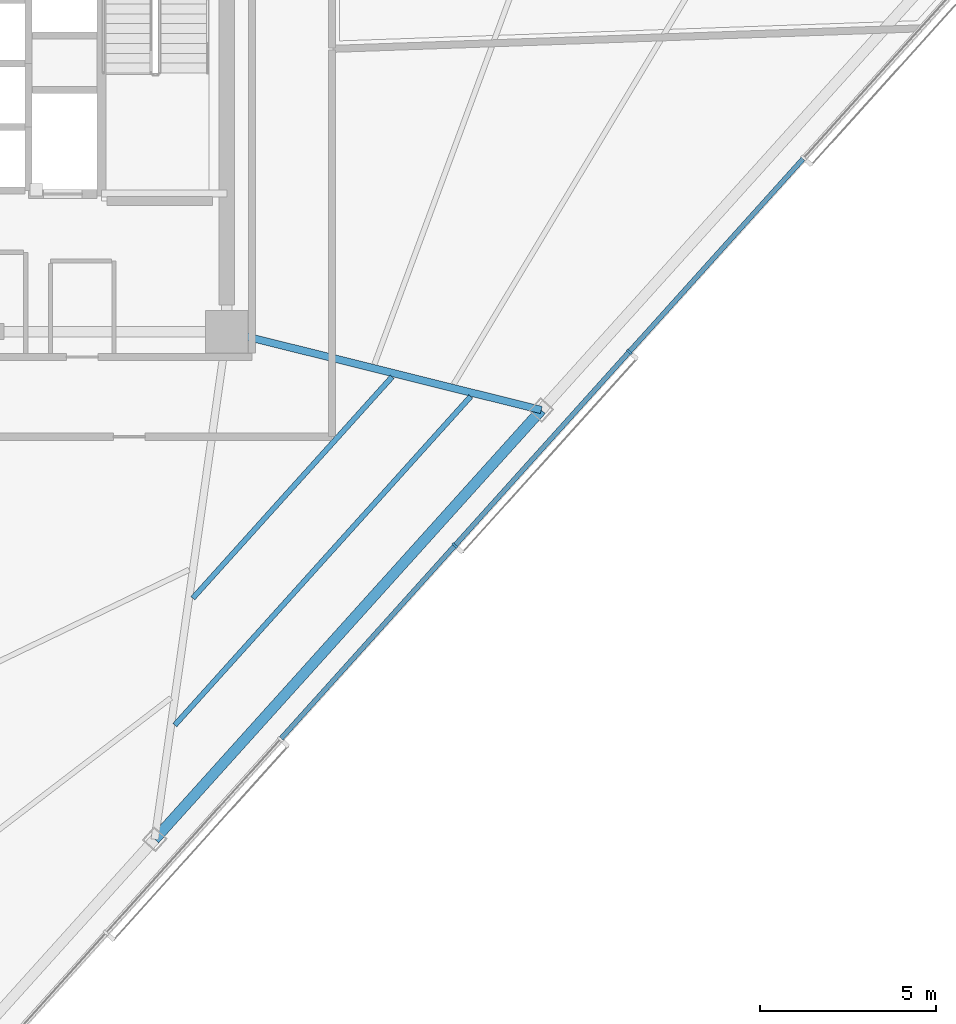
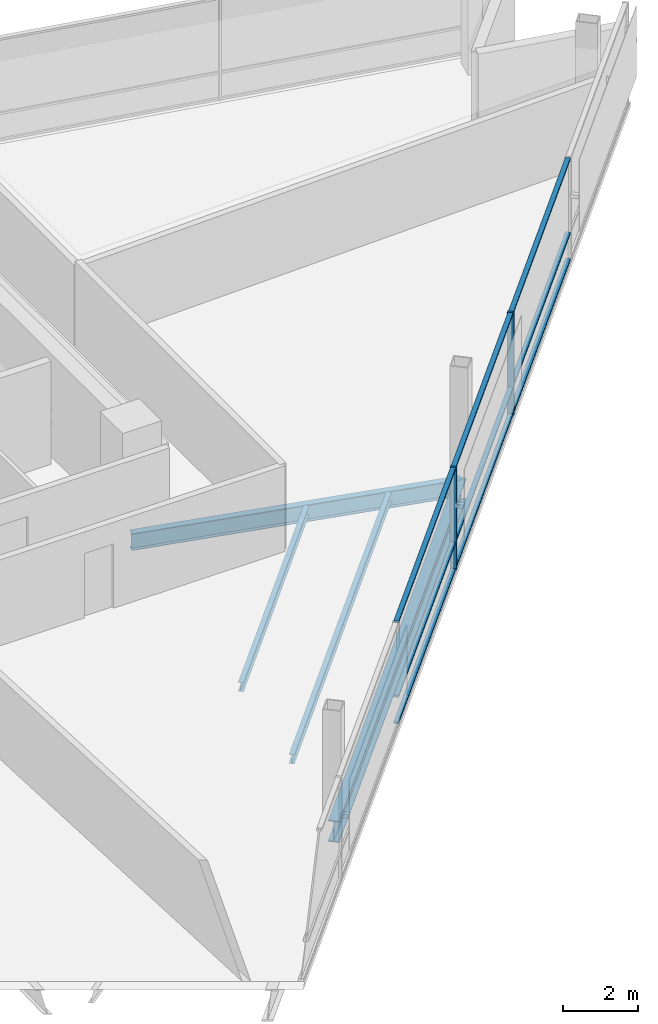
# One storey, part 4 of 17: 11 members, 4 beams, 1 element without a shape of its own.
"""IFC4 building model written with IfcOpenShell, lengths in metres."""

from ifc_helpers import new_model, si_unit, direction, frame, origin, origin_2d, place, context, subcontext, project, spatial, rectangle, i_section, extrude, material, layer, layer_set, material_profile, profile_set, type_object, element, aggregate, save


model = new_model("IFC4")

# Units and contexts
model_context = context("Model", 3, precision=1e-05, world=origin(), true_north=direction((0.0, 1.0)))
body_context = subcontext(model_context, "Body", "Model", "MODEL_VIEW")
ifc_project = project(units=[si_unit("LENGTHUNIT", "METRE"), si_unit("AREAUNIT", "SQUARE_METRE"), si_unit("VOLUMEUNIT", "CUBIC_METRE"), si_unit("PLANEANGLEUNIT", "RADIAN"), si_unit("MASSUNIT", "GRAM", prefix="KILO")], contexts=[model_context])

# Site, building, storey
site_placement = place(None, origin())
site = spatial("IfcSite", under=ifc_project, at=site_placement, CompositionType="ELEMENT")
building_placement = place(site_placement, origin())
building = spatial("IfcBuilding", under=site, at=building_placement, Name="Tharavind Bronze Gate", CompositionType="ELEMENT")
storey_placement = place(building_placement, frame((0.0, 0.0, 218.449951171875)))
storey = spatial("IfcBuildingStorey", under=building, at=storey_placement, Name="L56", CompositionType="ELEMENT", Elevation=218.449951171875)

# Curtain wall, members
ifc_material_1 = material(Name="Anodised Bronze Aluminium", Category="aluminium")
ifc_layer = layer(ifc_material_1, 0.219970703125)
ifc_layer_set = layer_set([ifc_layer], Name="Anodised Bronze Aluminium")
curtain_wall_type = type_object("IfcCurtainWallType", Name="UNITISED CURTAIN WALL MID OFFICE", PredefinedType="USERDEFINED", material=ifc_layer_set)
curtain_wall_placement = place(storey_placement, origin())
curtain_wall = element("IfcCurtainWall", 1, at=curtain_wall_placement, inside=storey, type_object=curtain_wall_type, Name="L56 unitised curtain wall mid office CW-L56-S2", ObjectType="UNITISED CURTAIN WALL", PredefinedType="USERDEFINED")
member_type_1 = type_object("IfcMemberType", Name="CURTAIN WALL BRONZE MULLION 65X180", PredefinedType="MULLION", material=ifc_material_1)
member_1_placement = place(storey_placement, frame((15.365966796875, -13.663818359375, 0.0), z_axis=(0.0, 0.0, 1.0), x_axis=(0.669130606359, 0.743144825477, 0.0)))
member_1 = element("IfcMember", 2, at=member_1_placement, type_object=member_type_1, Name="CW-L56-S2 mullion 5", PredefinedType="MULLION", context=body_context, shape_type="SweptSolid", body=[
    extrude(rectangle(XDim=0.06494140625, YDim=0.179931640625, at=origin_2d()), origin(), (0.0, 0.0, 1.0), 3.360107421875),
])
member_2_placement = place(storey_placement, frame((20.310302734375, -8.17236328125, 0.0), z_axis=(0.0, 0.0, 1.0), x_axis=(0.669130606359, 0.743144825477, 0.0)))
member_2 = element("IfcMember", 3, at=member_2_placement, type_object=member_type_1, Name="CW-L56-S2 mullion 6", PredefinedType="MULLION", context=body_context, shape_type="SweptSolid", body=[
    extrude(rectangle(XDim=0.06494140625, YDim=0.179931640625, at=origin_2d()), origin(), (0.0, 0.0, 1.0), 3.360107421875),
])
member_type_2 = type_object("IfcMemberType", Name="CURTAIN WALL BRONZE TRANSOM 65X140", PredefinedType="USERDEFINED", material=ifc_material_1)
member_3_placement = place(storey_placement, frame((12.8935546875, -16.409423828125, 0.0), z_axis=(0.0, 0.0, 1.0), x_axis=(0.669130606359, 0.743144825477, 0.0)))
member_3 = element("IfcMember", 4, at=member_3_placement, type_object=member_type_2, Name="CW-L56-S2 transom TB4", ObjectType="TRANSOM", PredefinedType="USERDEFINED", context=body_context, shape_type="SweptSolid", body=[
    extrude(rectangle(XDim=7.33642578125, YDim=0.139892578125, at=origin_2d()), origin(), (0.0, 0.0, 1.0), 0.06494140625),
])
member_4_placement = place(storey_placement, frame((12.8935546875, -16.409423828125, 0.86767578125), z_axis=(0.0, 0.0, 1.0), x_axis=(0.669130606359, 0.743144825477, 0.0)))
member_4 = element("IfcMember", 5, at=member_4_placement, type_object=member_type_2, Name="CW-L56-S2 transom TS4", ObjectType="TRANSOM", PredefinedType="USERDEFINED", context=body_context, shape_type="SweptSolid", body=[
    extrude(rectangle(XDim=7.33642578125, YDim=0.139892578125, at=origin_2d()), origin(), (0.0, 0.0, 1.0), 0.06494140625),
])
member_5_placement = place(storey_placement, frame((12.8935546875, -16.409423828125, 3.295166015625), z_axis=(0.0, 0.0, 1.0), x_axis=(0.669130606359, 0.743144825477, 0.0)))
member_5 = element("IfcMember", 6, at=member_5_placement, type_object=member_type_2, Name="CW-L56-S2 transom TT4", ObjectType="TRANSOM", PredefinedType="USERDEFINED", context=body_context, shape_type="SweptSolid", body=[
    extrude(rectangle(XDim=7.33642578125, YDim=0.139892578125, at=origin_2d()), origin(), (0.0, 0.0, 1.0), 0.06494140625),
])
member_6_placement = place(storey_placement, frame((17.838134765625, -10.91796875, 0.0), z_axis=(0.0, 0.0, 1.0), x_axis=(0.669130606359, 0.743144825477, 0.0)))
member_6 = element("IfcMember", 7, at=member_6_placement, type_object=member_type_2, Name="CW-L56-S2 transom TB5", ObjectType="TRANSOM", PredefinedType="USERDEFINED", context=body_context, shape_type="SweptSolid", body=[
    extrude(rectangle(XDim=7.33642578125, YDim=0.139892578125, at=origin_2d()), origin(), (0.0, 0.0, 1.0), 0.06494140625),
])
member_7_placement = place(storey_placement, frame((17.838134765625, -10.91796875, 0.86767578125), z_axis=(0.0, 0.0, 1.0), x_axis=(0.669130606359, 0.743144825477, 0.0)))
member_7 = element("IfcMember", 8, at=member_7_placement, type_object=member_type_2, Name="CW-L56-S2 transom TS5", ObjectType="TRANSOM", PredefinedType="USERDEFINED", context=body_context, shape_type="SweptSolid", body=[
    extrude(rectangle(XDim=7.33642578125, YDim=0.139892578125, at=origin_2d()), origin(), (0.0, 0.0, 1.0), 0.06494140625),
])
member_8_placement = place(storey_placement, frame((17.838134765625, -10.91796875, 3.295166015625), z_axis=(0.0, 0.0, 1.0), x_axis=(0.669130606359, 0.743144825477, 0.0)))
member_8 = element("IfcMember", 9, at=member_8_placement, type_object=member_type_2, Name="CW-L56-S2 transom TT5", ObjectType="TRANSOM", PredefinedType="USERDEFINED", context=body_context, shape_type="SweptSolid", body=[
    extrude(rectangle(XDim=7.33642578125, YDim=0.139892578125, at=origin_2d()), origin(), (0.0, 0.0, 1.0), 0.06494140625),
])
member_9_placement = place(storey_placement, frame((22.78271484375, -5.426513671875, 0.0), z_axis=(0.0, 0.0, 1.0), x_axis=(0.669130606359, 0.743144825477, 0.0)))
member_9 = element("IfcMember", 10, at=member_9_placement, type_object=member_type_2, Name="CW-L56-S2 transom TB6", ObjectType="TRANSOM", PredefinedType="USERDEFINED", context=body_context, shape_type="SweptSolid", body=[
    extrude(rectangle(XDim=7.33642578125, YDim=0.139892578125, at=origin_2d()), origin(), (0.0, 0.0, 1.0), 0.06494140625),
])
member_10_placement = place(storey_placement, frame((22.78271484375, -5.426513671875, 0.86767578125), z_axis=(0.0, 0.0, 1.0), x_axis=(0.669130606359, 0.743144825477, 0.0)))
member_10 = element("IfcMember", 11, at=member_10_placement, type_object=member_type_2, Name="CW-L56-S2 transom TS6", ObjectType="TRANSOM", PredefinedType="USERDEFINED", context=body_context, shape_type="SweptSolid", body=[
    extrude(rectangle(XDim=7.33642578125, YDim=0.139892578125, at=origin_2d()), origin(), (0.0, 0.0, 1.0), 0.06494140625),
])
member_11_placement = place(storey_placement, frame((22.78271484375, -5.426513671875, 3.295166015625), z_axis=(0.0, 0.0, 1.0), x_axis=(0.669130606359, 0.743144825477, 0.0)))
member_11 = element("IfcMember", 12, at=member_11_placement, type_object=member_type_2, Name="CW-L56-S2 transom TT6", ObjectType="TRANSOM", PredefinedType="USERDEFINED", context=body_context, shape_type="SweptSolid", body=[
    extrude(rectangle(XDim=7.33642578125, YDim=0.139892578125, at=origin_2d()), origin(), (0.0, 0.0, 1.0), 0.06494140625),
])
aggregate(curtain_wall, [member_1, member_2, member_3, member_4, member_5, member_6, member_7, member_8, member_9, member_10, member_11])

# Beams
ifc_material_2 = material(Name="Steel S355", Category="steel")
ifc_material_profile_1 = material_profile(ifc_material_2, i_section(OverallWidth=0.2099609375, OverallDepth=0.550048828125, WebThickness=0.010986328125, FlangeThickness=0.01708984375, at=origin_2d()), Name="IPE550")
ifc_profile_set_1 = profile_set([ifc_material_profile_1], Name="Steel S355")
beam_type_1 = type_object("IfcBeamType", Name="PRIMARY GIRDER IPE550", PredefinedType="USERDEFINED", material=ifc_profile_set_1)
beam_1_placement = place(storey_placement, frame((17.815185546875, -9.82275390625, -0.454833984375), z_axis=(-0.970300158772, 0.241904117136, 0.0), x_axis=(-0.241904117136, -0.970300158772, 0.0)))
element("IfcBeam", 13, at=beam_1_placement, inside=storey, type_object=beam_type_1, Name="L56 primary girder ipe550 BM-L56-RAD07", ObjectType="GIRDER", PredefinedType="USERDEFINED", context=body_context, shape_type="SweptSolid", body=[
    extrude(i_section(OverallWidth=0.2099609375, OverallDepth=0.550048828125, WebThickness=0.010986328125, FlangeThickness=0.01708984375, at=origin_2d()), origin(), (0.0, 0.0, 1.0), 9.188232421875),
])
ifc_material_profile_2 = material_profile(ifc_material_2, i_section(OverallWidth=0.300048828125, OverallDepth=0.699951171875, WebThickness=0.01708984375, FlangeThickness=0.031982421875, at=origin_2d()), Name="HE700B")
ifc_profile_set_2 = profile_set([ifc_material_profile_2], Name="Steel S355")
beam_type_2 = type_object("IfcBeamType", Name="RING GIRDER HE700B", PredefinedType="USERDEFINED", material=ifc_profile_set_2)
beam_2_placement = place(storey_placement, frame((6.857421875, -21.992431640625, -0.530029296875), z_axis=(0.669135213786, 0.743140676906, 0.0), x_axis=(-0.743140676906, 0.669135213786, 0.0)))
element("IfcBeam", 14, at=beam_2_placement, inside=storey, type_object=beam_type_2, Name="L56 ring girder he700b BM-L56-PRG06", ObjectType="GIRDER", PredefinedType="USERDEFINED", context=body_context, shape_type="SweptSolid", body=[
    extrude(i_section(OverallWidth=0.300048828125, OverallDepth=0.699951171875, WebThickness=0.01708984375, FlangeThickness=0.031982421875, at=origin_2d()), origin(), (0.0, 0.0, 1.0), 16.3759765625),
])
ifc_material_profile_3 = material_profile(ifc_material_2, i_section(OverallWidth=0.14990234375, OverallDepth=0.300048828125, WebThickness=0.007080078125, FlangeThickness=0.0107421875, at=origin_2d()), Name="IPE300")
ifc_profile_set_3 = profile_set([ifc_material_profile_3], Name="Steel S355")
beam_type_3 = type_object("IfcBeamType", Name="SECONDARY FLOOR JOIST IPE300", PredefinedType="JOIST", material=ifc_profile_set_3)
beam_3_placement = place(storey_placement, frame((7.935791015625, -15.1572265625, -0.329833984375), z_axis=(0.669138786469, 0.743137459991, 0.0), x_axis=(-0.743137459991, 0.669138786469, 0.0)))
element("IfcBeam", 15, at=beam_3_placement, inside=storey, type_object=beam_type_3, Name="L56 secondary floor joist ipe300 BM-L56-JSTA06", PredefinedType="JOIST", context=body_context, shape_type="SweptSolid", body=[
    extrude(i_section(OverallWidth=0.14990234375, OverallDepth=0.300048828125, WebThickness=0.007080078125, FlangeThickness=0.0107421875, at=origin_2d()), origin(), (0.0, 0.0, 1.0), 8.446044921875),
])
beam_4_placement = place(storey_placement, frame((7.425048828125, -18.75537109375, -0.329833984375), z_axis=(0.669137887746, 0.743138269222, 0.0), x_axis=(-0.743138269222, 0.669137887746, 0.0)))
element("IfcBeam", 16, at=beam_4_placement, inside=storey, type_object=beam_type_3, Name="L56 secondary floor joist ipe300 BM-L56-JSTB06", PredefinedType="JOIST", context=body_context, shape_type="SweptSolid", body=[
    extrude(i_section(OverallWidth=0.14990234375, OverallDepth=0.300048828125, WebThickness=0.007080078125, FlangeThickness=0.0107421875, at=origin_2d()), origin(), (0.0, 0.0, 1.0), 12.540283203125),
])

save(model, "model.ifc")
